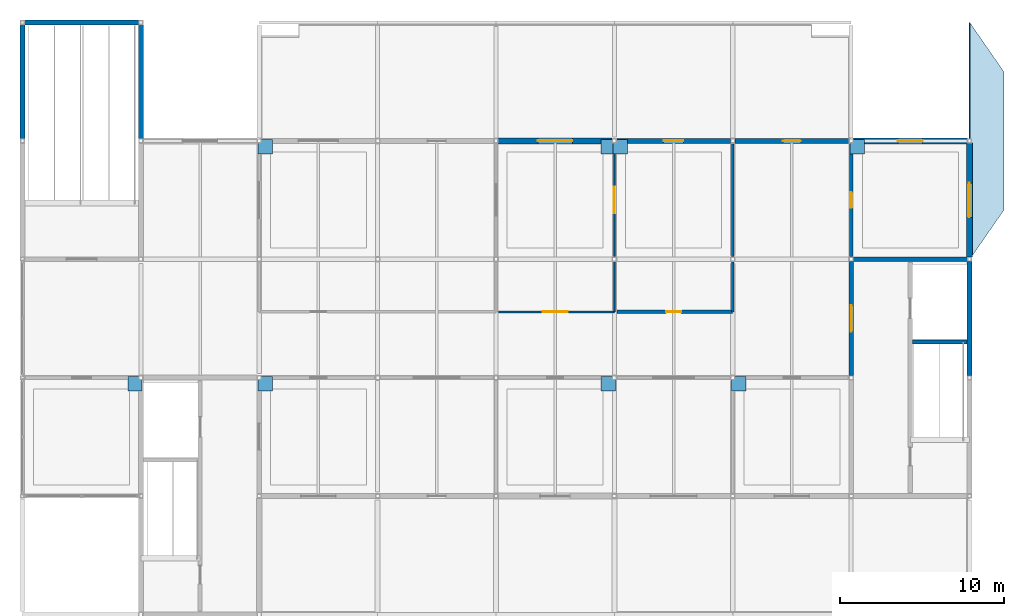
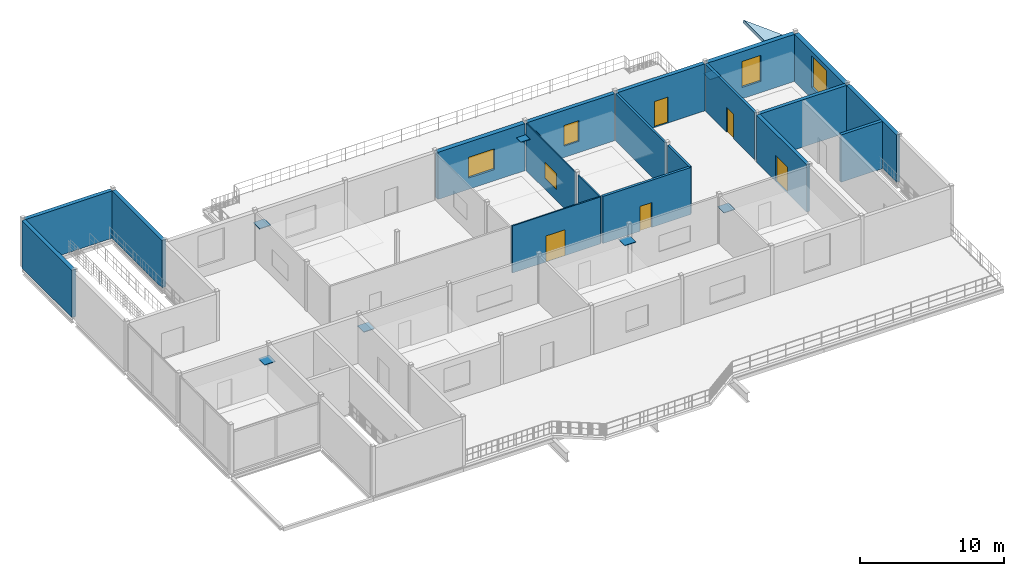
# One storey, part 13 of 18: 19 walls, 8 discrete accessories, 5 doors, 5 windows, 1 roof, 10 openings.
"""IFC4 building model written with IfcOpenShell, lengths in metres."""

from ifc_helpers import new_model, si_unit, direction, frame, frame_2d, origin, origin_2d, place, context, subcontext, project, spatial, polyline, rectangle, outline, extrude, material, layer, layer_set, type_object, element, fill, save


model = new_model("IFC4")

# Units and contexts
model_context = context("Model", 3, precision=1e-05, world=origin(), true_north=direction((0.0, 1.0)))
body_context = subcontext(model_context, "Body", "Model", "MODEL_VIEW")
ifc_project = project(units=[si_unit("LENGTHUNIT", "METRE"), si_unit("AREAUNIT", "SQUARE_METRE"), si_unit("VOLUMEUNIT", "CUBIC_METRE"), si_unit("PLANEANGLEUNIT", "RADIAN"), si_unit("MASSUNIT", "GRAM", prefix="KILO")], contexts=[model_context])

# Site, building, storey
site_placement = place(None, origin())
site = spatial("IfcSite", under=ifc_project, at=site_placement, CompositionType="ELEMENT")
building_placement = place(site_placement, origin())
building = spatial("IfcBuilding", under=site, at=building_placement, Name="Vesperath Aquatics Centre", CompositionType="ELEMENT")
storey_placement = place(building_placement, frame((0.0, 0.0, 23.39990234375)))
storey = spatial("IfcBuildingStorey", under=building, at=storey_placement, Name="L05", CompositionType="ELEMENT", Elevation=23.39990234375)

# Wall, opening, window
ifc_material_1 = material(Name="Glazed majolica and brick insulated cavity wall", Category="masonry")
ifc_layer_1 = layer(ifc_material_1, 0.360107421875)
ifc_layer_set_1 = layer_set([ifc_layer_1], Name="Glazed majolica and brick insulated cavity wall")
wall_type_1 = type_object("IfcWallType", Name="WL-EW03", PredefinedType="SOLIDWALL", material=ifc_layer_set_1)
wall_1_placement = place(storey_placement, frame((144.1298828125, 28.800048828125, 0.0), z_axis=(0.0, 0.0, 1.0), x_axis=(1.0, 0.0, 0.0)))
wall_1 = element("IfcWall", 1, at=wall_1_placement, inside=storey, type_object=wall_type_1, Name="Exterior Wall EW03 L05_N_20_04", PredefinedType="SOLIDWALL", context=body_context, shape_type="SweptSolid", body=[
    extrude(rectangle(XDim=6.940185546875, YDim=0.360107421875, at=frame_2d((3.47021484375, 0.0))), origin(), (0.0, 0.0, 1.0), 3.97998046875),
])
opening_1_placement = place(wall_1_placement, frame((2.419921875, 0.0, 0.949951171875)))
opening_1 = element("IfcOpeningElement", 2, at=opening_1_placement, cuts=wall_1, Name="Opening W11", PredefinedType="OPENING", context=body_context, shape_type="SweptSolid", body=[
    extrude(rectangle(XDim=2.10009765625, YDim=1.75, at=frame_2d((1.050048828125, 0.875))), frame((0.0, 0.19482421875, 0.0), z_axis=(0.0, -1.0, 0.0), x_axis=(1.0, 0.0, 0.0)), (0.0, 0.0, 1.0), 0.389892578125),
])
ifc_material_2 = material(Name="Thermally broken aluminium triple-glazed window", Category="aluminium")
window_type_1 = type_object("IfcWindowType", Name="WN-W11", PartitioningType="SINGLE_PANEL", PredefinedType="WINDOW", material=ifc_material_2)
window_1_placement = place(opening_1_placement, origin())
window_1 = element("IfcWindow", 3, at=window_1_placement, inside=storey, type_object=window_type_1, Name="Deep-Reveal Casement Window W11 L05_N_20_04", OverallHeight=1.75, OverallWidth=2.10009765625, PartitioningType="SINGLE_PANEL", PredefinedType="WINDOW", context=body_context, shape_type="SweptSolid", body=[
    extrude(rectangle(XDim=2.10009765625, YDim=1.75, at=frame_2d((1.050048828125, 0.875))), frame((0.0, 0.030029296875, 0.0), z_axis=(0.0, -1.0, 0.0), x_axis=(1.0, 0.0, 0.0)), (0.0, 0.0, 1.0), 0.06005859375),
])
fill(opening_1, window_1)

wall_2_placement = place(storey_placement, frame((165.72998046875, 28.800048828125, 0.0), z_axis=(0.0, 0.0, 1.0), x_axis=(1.0, 0.0, 0.0)))
wall_2 = element("IfcWall", 4, at=wall_2_placement, inside=storey, type_object=wall_type_1, Name="Exterior Wall EW03 L05_N_23_04", PredefinedType="SOLIDWALL", context=body_context, shape_type="SweptSolid", body=[
    extrude(rectangle(XDim=6.93994140625, YDim=0.360107421875, at=frame_2d((3.469970703125, 0.0))), origin(), (0.0, 0.0, 1.0), 3.97998046875),
])
opening_2_placement = place(wall_2_placement, frame((2.719970703125, 0.0, 0.949951171875)))
opening_2 = element("IfcOpeningElement", 5, at=opening_2_placement, cuts=wall_2, Name="Opening W04", PredefinedType="OPENING", context=body_context, shape_type="SweptSolid", body=[
    extrude(rectangle(XDim=1.5, YDim=2.199951171875, at=frame_2d((0.75, 1.10009765625))), frame((0.0, 0.19482421875, 0.0), z_axis=(0.0, -1.0, 0.0), x_axis=(1.0, 0.0, 0.0)), (0.0, 0.0, 1.0), 0.389892578125),
])
window_type_2 = type_object("IfcWindowType", Name="WN-W04", PartitioningType="SINGLE_PANEL", PredefinedType="WINDOW", material=ifc_material_2)
window_2_placement = place(opening_2_placement, origin())
window_2 = element("IfcWindow", 6, at=window_2_placement, inside=storey, type_object=window_type_2, Name="Deep-Reveal Casement Window W04 L05_N_23_04", OverallHeight=2.199951171875, OverallWidth=1.5, PartitioningType="SINGLE_PANEL", PredefinedType="WINDOW", context=body_context, shape_type="SweptSolid", body=[
    extrude(rectangle(XDim=1.5, YDim=2.199951171875, at=frame_2d((0.75, 1.10009765625))), frame((0.0, 0.030029296875, 0.0), z_axis=(0.0, -1.0, 0.0), x_axis=(1.0, 0.0, 0.0)), (0.0, 0.0, 1.0), 0.06005859375),
])
fill(opening_2, window_2)

wall_3_placement = place(storey_placement, frame((172.800048828125, 21.72998046875, 0.0), z_axis=(0.0, 0.0, 1.0), x_axis=(0.0, 1.0, 0.0)))
wall_3 = element("IfcWall", 7, at=wall_3_placement, inside=storey, type_object=wall_type_1, Name="Exterior Wall EW03 L05_E_24_03", PredefinedType="SOLIDWALL", context=body_context, shape_type="SweptSolid", body=[
    extrude(rectangle(XDim=6.93994140625, YDim=0.360107421875, at=frame_2d((3.469970703125, 0.0))), origin(), (0.0, 0.0, 1.0), 3.97998046875),
])
opening_3_placement = place(wall_3_placement, frame((2.419921875, 0.0, 0.949951171875)))
opening_3 = element("IfcOpeningElement", 8, at=opening_3_placement, cuts=wall_3, Name="Opening W02", PredefinedType="OPENING", context=body_context, shape_type="SweptSolid", body=[
    extrude(rectangle(XDim=2.10009765625, YDim=2.64990234375, at=frame_2d((1.050048828125, 1.324951171875))), frame((0.0, 0.19482421875, 0.0), z_axis=(0.0, -1.0, 0.0), x_axis=(1.0, 0.0, 0.0)), (0.0, 0.0, 1.0), 0.389892578125),
])
window_type_3 = type_object("IfcWindowType", Name="WN-W02", PartitioningType="SINGLE_PANEL", PredefinedType="WINDOW", material=ifc_material_2)
window_3_placement = place(opening_3_placement, origin())
window_3 = element("IfcWindow", 9, at=window_3_placement, inside=storey, type_object=window_type_3, Name="Deep-Reveal Casement Window W02 L05_E_24_03", OverallHeight=2.64990234375, OverallWidth=2.10009765625, PartitioningType="SINGLE_PANEL", PredefinedType="WINDOW", context=body_context, shape_type="SweptSolid", body=[
    extrude(rectangle(XDim=2.10009765625, YDim=2.64990234375, at=frame_2d((1.050048828125, 1.324951171875))), frame((0.0, 0.030029296875, 0.0), z_axis=(0.0, -1.0, 0.0), x_axis=(1.0, 0.0, 0.0)), (0.0, 0.0, 1.0), 0.06005859375),
])
fill(opening_3, window_3)

ifc_material_3 = material(Name="Terrace pavilion insulated masonry wall", Category="masonry")
ifc_layer_2 = layer(ifc_material_3, 0.31005859375)
ifc_layer_set_2 = layer_set([ifc_layer_2], Name="Terrace pavilion insulated masonry wall")
wall_type_2 = type_object("IfcWallType", Name="WL-EW05", PredefinedType="SOLIDWALL", material=ifc_layer_set_2)
wall_4_placement = place(storey_placement, frame((151.330078125, 28.800048828125, 0.0), z_axis=(0.0, 0.0, 1.0), x_axis=(1.0, 0.0, 0.0)))
wall_4 = element("IfcWall", 10, at=wall_4_placement, inside=storey, type_object=wall_type_2, Name="Exterior Wall EW05 L05_N_21_04", PredefinedType="SOLIDWALL", context=body_context, shape_type="SweptSolid", body=[
    extrude(rectangle(XDim=6.93994140625, YDim=0.31005859375, at=frame_2d((3.469970703125, 0.0))), origin(), (0.0, 0.0, 1.0), 3.97998046875),
])
opening_4_placement = place(wall_4_placement, frame((2.8701171875, 0.0, 0.949951171875)))
opening_4 = element("IfcOpeningElement", 11, at=opening_4_placement, cuts=wall_4, Name="Opening W14", PredefinedType="OPENING", context=body_context, shape_type="SweptSolid", body=[
    extrude(rectangle(XDim=1.199951171875, YDim=1.75, at=frame_2d((0.60009765625, 0.875))), frame((0.0, 0.169921875, 0.0), z_axis=(0.0, -1.0, 0.0), x_axis=(1.0, 0.0, 0.0)), (0.0, 0.0, 1.0), 0.33984375),
])
window_type_4 = type_object("IfcWindowType", Name="WN-W14", PartitioningType="SINGLE_PANEL", PredefinedType="WINDOW", material=ifc_material_2)
window_4_placement = place(opening_4_placement, origin())
window_4 = element("IfcWindow", 12, at=window_4_placement, inside=storey, type_object=window_type_4, Name="Deep-Reveal Casement Window W14 L05_N_21_04", OverallHeight=1.75, OverallWidth=1.199951171875, PartitioningType="SINGLE_PANEL", PredefinedType="WINDOW", context=body_context, shape_type="SweptSolid", body=[
    extrude(rectangle(XDim=1.199951171875, YDim=1.75, at=frame_2d((0.60009765625, 0.875))), frame((0.0, 0.030029296875, 0.0), z_axis=(0.0, -1.0, 0.0), x_axis=(1.0, 0.0, 0.0)), (0.0, 0.0, 1.0), 0.06005859375),
])
fill(opening_4, window_4)

# Wall, opening, door
wall_5_placement = place(storey_placement, frame((158.530029296875, 28.800048828125, 0.0), z_axis=(0.0, 0.0, 1.0), x_axis=(1.0, 0.0, 0.0)))
wall_5 = element("IfcWall", 13, at=wall_5_placement, inside=storey, type_object=wall_type_2, Name="Exterior Wall EW05 L05_N_22_04", PredefinedType="SOLIDWALL", context=body_context, shape_type="SweptSolid", body=[
    extrude(rectangle(XDim=6.93994140625, YDim=0.31005859375, at=frame_2d((3.469970703125, 0.0))), origin(), (0.0, 0.0, 1.0), 3.97998046875),
])
opening_5_placement = place(wall_5_placement, frame((2.919921875, 0.0, 0.0)))
opening_5 = element("IfcOpeningElement", 14, at=opening_5_placement, cuts=wall_5, Name="Opening TRD2", PredefinedType="OPENING", context=body_context, shape_type="SweptSolid", body=[
    extrude(rectangle(XDim=1.10009765625, YDim=2.199951171875, at=frame_2d((0.550048828125, 1.10009765625))), frame((0.0, 0.169921875, 0.0), z_axis=(0.0, -1.0, 0.0), x_axis=(1.0, 0.0, 0.0)), (0.0, 0.0, 1.0), 0.33984375),
])
ifc_material_4 = material(Name="Thermally broken bronze-anodised glazed aluminium door", Category="aluminium")
door_type_1 = type_object("IfcDoorType", Name="DR-TR02", OperationType="NOTDEFINED", PredefinedType="DOOR", material=ifc_material_4)
door_1_placement = place(opening_5_placement, origin())
door_1 = element("IfcDoor", 15, at=door_1_placement, inside=storey, type_object=door_type_1, Name="Roof Terrace Access Door TRD2 L05_N_22_04", OperationType="SINGLE_SWING_RIGHT", OverallHeight=2.199951171875, OverallWidth=1.10009765625, PredefinedType="DOOR", context=body_context, shape_type="SweptSolid", body=[
    extrude(rectangle(XDim=1.10009765625, YDim=2.199951171875, at=frame_2d((0.550048828125, 1.10009765625))), frame((0.0, 0.02490234375, 0.0), z_axis=(0.0, -1.0, 0.0), x_axis=(1.0, 0.0, 0.0)), (0.0, 0.0, 1.0), 0.050048828125),
])
fill(opening_5, door_1)

ifc_material_5 = material(Name="Wet-village masonry block wall", Category="masonry")
ifc_layer_3 = layer(ifc_material_5, 0.199951171875)
ifc_layer_set_3 = layer_set([ifc_layer_3], Name="Wet-village masonry block wall")
wall_type_3 = type_object("IfcWallType", Name="WL-FW03", PredefinedType="SOLIDWALL", material=ifc_layer_set_3)
wall_6_placement = place(storey_placement, frame((151.35009765625, 18.39990234375, 0.0), z_axis=(0.0, 0.0, 1.0), x_axis=(1.0, 0.0, 0.0)))
wall_6 = element("IfcWall", 16, at=wall_6_placement, inside=storey, type_object=wall_type_3, Name="Interior Partition FW03 L05_MWC-S1", PredefinedType="SOLIDWALL", context=body_context, shape_type="SweptSolid", body=[
    extrude(rectangle(XDim=7.0498046875, YDim=0.199951171875, at=frame_2d((3.52490234375, 0.0))), origin(), (0.0, 0.0, 1.0), 3.97998046875),
])
opening_6_placement = place(wall_6_placement, frame((2.989990234375, 0.0, 0.0)))
opening_6 = element("IfcOpeningElement", 17, at=opening_6_placement, cuts=wall_6, Name="Opening D08", PredefinedType="OPENING", context=body_context, shape_type="SweptSolid", body=[
    extrude(rectangle(XDim=0.919921875, YDim=2.10009765625, at=frame_2d((0.4599609375, 1.050048828125))), frame((0.0, 0.11474609375, 0.0), z_axis=(0.0, -1.0, 0.0), x_axis=(1.0, 0.0, 0.0)), (0.0, 0.0, 1.0), 0.229736328125),
])
ifc_material_6 = material(Name="Moisture-resistant HPL washroom door", Category="wood")
door_type_2 = type_object("IfcDoorType", Name="DR-WC03", OperationType="NOTDEFINED", PredefinedType="DOOR", material=ifc_material_6)
door_2_placement = place(opening_6_placement, origin())
door_2 = element("IfcDoor", 18, at=door_2_placement, inside=storey, type_object=door_type_2, Name="Staff Male WC L05 Door D08", OperationType="SINGLE_SWING_LEFT", OverallHeight=2.10009765625, OverallWidth=0.919921875, PredefinedType="DOOR", context=body_context, shape_type="SweptSolid", body=[
    extrude(rectangle(XDim=0.919921875, YDim=2.10009765625, at=frame_2d((0.4599609375, 1.050048828125))), frame((0.0, 0.02490234375, 0.0), z_axis=(0.0, -1.0, 0.0), x_axis=(1.0, 0.0, 0.0)), (0.0, 0.0, 1.0), 0.050048828125),
])
fill(opening_6, door_2)

wall_7_placement = place(storey_placement, frame((165.60009765625, 21.780029296875, 0.0), z_axis=(0.0, 0.0, 1.0), x_axis=(0.0, 1.0, 0.0)))
wall_7 = element("IfcWall", 19, at=wall_7_placement, inside=storey, type_object=wall_type_3, Name="Interior Partition FW03 L05_FWC-W1", PredefinedType="SOLIDWALL", context=body_context, shape_type="SweptSolid", body=[
    extrude(rectangle(XDim=6.840087890625, YDim=0.199951171875, at=frame_2d((3.419921875, 0.0))), origin(), (0.0, 0.0, 1.0), 3.97998046875),
])
opening_7_placement = place(wall_7_placement, frame((2.945068359375, 0.0, 0.0)))
opening_7 = element("IfcOpeningElement", 20, at=opening_7_placement, cuts=wall_7, Name="Opening D07", PredefinedType="OPENING", context=body_context, shape_type="SweptSolid", body=[
    extrude(rectangle(XDim=0.949951171875, YDim=2.10009765625, at=frame_2d((0.47509765625, 1.050048828125))), frame((0.0, 0.11474609375, 0.0), z_axis=(0.0, -1.0, 0.0), x_axis=(1.0, 0.0, 0.0)), (0.0, 0.0, 1.0), 0.229736328125),
])
ifc_material_7 = material(Name="Moisture-resistant HPL sanitary door", Category="wood")
door_type_3 = type_object("IfcDoorType", Name="DR-WC02", OperationType="NOTDEFINED", PredefinedType="DOOR", material=ifc_material_7)
door_3_placement = place(opening_7_placement, frame((0.949951171875, 0.0, 0.0), z_axis=(0.0, 0.0, 1.0), x_axis=(-1.0, 0.0, 0.0)))
door_3 = element("IfcDoor", 21, at=door_3_placement, inside=storey, type_object=door_type_3, Name="Staff Female WC L05 Door D07", OperationType="SINGLE_SWING_RIGHT", OverallHeight=2.10009765625, OverallWidth=0.949951171875, PredefinedType="DOOR", context=body_context, shape_type="SweptSolid", body=[
    extrude(rectangle(XDim=0.949951171875, YDim=2.10009765625, at=frame_2d((0.47509765625, 1.050048828125))), frame((0.0, 0.02490234375, 0.0), z_axis=(0.0, -1.0, 0.0), x_axis=(1.0, 0.0, 0.0)), (0.0, 0.0, 1.0), 0.050048828125),
])
fill(opening_7, door_3)

# Walls
ifc_material_8 = material(Name="Moisture-resistant tiled wet partition", Category="gypsum")
ifc_layer_4 = layer(ifc_material_8, 0.175048828125)
ifc_layer_set_4 = layer_set([ifc_layer_4], Name="Moisture-resistant tiled wet partition")
wall_type_4 = type_object("IfcWallType", Name="WL-IW02", PredefinedType="PARTITIONING", material=ifc_layer_set_4)
wall_8_placement = place(storey_placement, frame((158.39990234375, 18.39990234375, 0.0), z_axis=(0.0, 0.0, 1.0), x_axis=(0.0, 1.0, 0.0)))
element("IfcWall", 22, at=wall_8_placement, inside=storey, type_object=wall_type_4, Name="Interior Partition IW02 L05_MWC-E1", PredefinedType="PARTITIONING", context=body_context, shape_type="SweptSolid", body=[
    extrude(rectangle(XDim=3.02001953125, YDim=0.175048828125, at=frame_2d((1.510009765625, 0.0))), origin(), (0.0, 0.0, 1.0), 3.97998046875),
])
wall_9_placement = place(storey_placement, frame((158.39990234375, 21.780029296875, 0.0), z_axis=(0.0, 0.0, 1.0), x_axis=(0.0, 1.0, 0.0)))
element("IfcWall", 23, at=wall_9_placement, inside=storey, type_object=wall_type_4, Name="Interior Partition IW02 L05_MWC-E2", PredefinedType="PARTITIONING", context=body_context, shape_type="SweptSolid", body=[
    extrude(rectangle(XDim=6.840087890625, YDim=0.175048828125, at=frame_2d((3.419921875, 0.0))), origin(), (0.0, 0.0, 1.0), 3.97998046875),
])

# Wall, opening, door
ifc_material_9 = material(Name="Kiosk counter partition", Category="gypsum")
ifc_layer_5 = layer(ifc_material_9, 0.10791015625)
ifc_layer_set_5 = layer_set([ifc_layer_5], Name="Kiosk counter partition")
wall_type_5 = type_object("IfcWallType", Name="WL-IW11", PredefinedType="PARTITIONING", material=ifc_layer_set_5)
wall_10_placement = place(storey_placement, frame((144.14990234375, 18.39990234375, 0.0), z_axis=(0.0, 0.0, 1.0), x_axis=(1.0, 0.0, 0.0)))
wall_10 = element("IfcWall", 24, at=wall_10_placement, inside=storey, type_object=wall_type_5, Name="Interior Partition IW11 L05_BOARD-S1", PredefinedType="PARTITIONING", context=body_context, shape_type="SweptSolid", body=[
    extrude(rectangle(XDim=7.050048828125, YDim=0.10791015625, at=frame_2d((3.52490234375, 0.0))), origin(), (0.0, 0.0, 1.0), 3.97998046875),
])
opening_8_placement = place(wall_10_placement, frame((2.68994140625, 0.0, 0.0)))
opening_8 = element("IfcOpeningElement", 25, at=opening_8_placement, cuts=wall_10, Name="Opening D31", PredefinedType="OPENING", context=body_context, shape_type="SweptSolid", body=[
    extrude(rectangle(XDim=1.52001953125, YDim=2.199951171875, at=frame_2d((0.760009765625, 1.10009765625))), frame((0.0, 0.06884765625, 0.0), z_axis=(0.0, -1.0, 0.0), x_axis=(1.0, 0.0, 0.0)), (0.0, 0.0, 1.0), 0.1376953125),
])
ifc_material_10 = material(Name="Boardroom and briefing double oak door", Category="wood")
door_type_4 = type_object("IfcDoorType", Name="DR-RM23", OperationType="DOUBLE_SWING_LEFT", PredefinedType="DOOR", material=ifc_material_10)
door_4_placement = place(opening_8_placement, origin())
door_4 = element("IfcDoor", 26, at=door_4_placement, inside=storey, type_object=door_type_4, Name="Civic Trust Boardroom Door D31", OperationType="DOUBLE_SWING_LEFT", OverallHeight=2.199951171875, OverallWidth=1.52001953125, PredefinedType="DOOR", context=body_context, shape_type="SweptSolid", body=[
    extrude(rectangle(XDim=1.52001953125, YDim=2.199951171875, at=frame_2d((0.760009765625, 1.10009765625))), frame((0.0, 0.02490234375, 0.0), z_axis=(0.0, -1.0, 0.0), x_axis=(1.0, 0.0, 0.0)), (0.0, 0.0, 1.0), 0.050048828125),
])
fill(opening_8, door_4)

# Wall
ifc_material_11 = material(Name="Light room sub-partition", Category="gypsum")
ifc_layer_6 = layer(ifc_material_11, 0.10009765625)
ifc_layer_set_6 = layer_set([ifc_layer_6], Name="Light room sub-partition")
wall_type_6 = type_object("IfcWallType", Name="WL-IW12", PredefinedType="PARTITIONING", material=ifc_layer_set_6)
wall_11_placement = place(storey_placement, frame((151.199951171875, 18.39990234375, 0.0), z_axis=(0.0, 0.0, 1.0), x_axis=(0.0, 1.0, 0.0)))
element("IfcWall", 27, at=wall_11_placement, inside=storey, type_object=wall_type_6, Name="Interior Partition IW12 L05_BOARD-E1", PredefinedType="PARTITIONING", context=body_context, shape_type="SweptSolid", body=[
    extrude(rectangle(XDim=3.02001953125, YDim=0.10009765625, at=frame_2d((1.510009765625, 0.0))), origin(), (0.0, 0.0, 1.0), 3.97998046875),
])

# Wall, opening, window
ifc_material_12 = material(Name="Poolside glazed screen partition", Category="gypsum")
ifc_layer_7 = layer(ifc_material_12, 0.094970703125)
ifc_layer_set_7 = layer_set([ifc_layer_7], Name="Poolside glazed screen partition")
wall_type_7 = type_object("IfcWallType", Name="WL-IW13", PredefinedType="PARTITIONING", material=ifc_layer_set_7)
wall_12_placement = place(storey_placement, frame((151.199951171875, 21.780029296875, 0.0), z_axis=(0.0, 0.0, 1.0), x_axis=(0.0, 1.0, 0.0)))
wall_12 = element("IfcWall", 28, at=wall_12_placement, inside=storey, type_object=wall_type_7, Name="Interior Partition IW13 L05_BOARD-E2", PredefinedType="PARTITIONING", context=body_context, shape_type="SweptSolid", body=[
    extrude(rectangle(XDim=6.840087890625, YDim=0.094970703125, at=frame_2d((3.419921875, 0.0))), origin(), (0.0, 0.0, 1.0), 3.97998046875),
])
opening_9_placement = place(wall_12_placement, frame((2.6201171875, 0.0, 0.949951171875)))
opening_9 = element("IfcOpeningElement", 29, at=opening_9_placement, cuts=wall_12, Name="Opening VW09", PredefinedType="OPENING", context=body_context, shape_type="SweptSolid", body=[
    extrude(rectangle(XDim=1.60009765625, YDim=1.35009765625, at=frame_2d((0.800048828125, 0.675048828125))), frame((0.0, 0.0625, 0.0), z_axis=(0.0, -1.0, 0.0), x_axis=(1.0, 0.0, 0.0)), (0.0, 0.0, 1.0), 0.124755859375),
])
ifc_material_13 = material(Name="Acoustic laminated interior viewing glazing", Category="glass")
window_type_5 = type_object("IfcWindowType", Name="WN-IW09", PartitioningType="SINGLE_PANEL", PredefinedType="WINDOW", material=ifc_material_13)
window_5_placement = place(opening_9_placement, origin())
window_5 = element("IfcWindow", 30, at=window_5_placement, inside=storey, type_object=window_type_5, Name="Interior Viewing Window VW09 L05_BOARD", OverallHeight=1.35009765625, OverallWidth=1.60009765625, PartitioningType="SINGLE_PANEL", PredefinedType="WINDOW", context=body_context, shape_type="SweptSolid", body=[
    extrude(rectangle(XDim=1.60009765625, YDim=1.35009765625, at=frame_2d((0.800048828125, 0.675048828125))), frame((0.0, 0.030029296875, 0.0), z_axis=(0.0, -1.0, 0.0), x_axis=(1.0, 0.0, 0.0)), (0.0, 0.0, 1.0), 0.06005859375),
])
fill(opening_9, window_5)

# Wall
ifc_material_14 = material(Name="Concrete C40", Category="concrete")
ifc_layer_8 = layer(ifc_material_14, 0.280029296875)
ifc_layer_set_8 = layer_set([ifc_layer_8], Name="Concrete C40")
wall_type_8 = type_object("IfcWallType", Name="WL-SW02", PredefinedType="SHEAR", material=ifc_layer_set_8)
wall_13_placement = place(storey_placement, frame((165.72998046875, 21.60009765625, 0.0), z_axis=(0.0, 0.0, 1.0), x_axis=(1.0, 0.0, 0.0)))
element("IfcWall", 31, at=wall_13_placement, inside=storey, type_object=wall_type_8, Name="Core C6 North Shear Wall SW02 L05", PredefinedType="SHEAR", context=body_context, shape_type="SweptSolid", body=[
    extrude(rectangle(XDim=6.93994140625, YDim=0.280029296875, at=frame_2d((3.469970703125, 0.0))), origin(), (0.0, 0.0, 1.0), 4.0),
])

# Wall, opening, door
wall_14_placement = place(storey_placement, frame((165.60009765625, 14.530029296875, 0.0), z_axis=(0.0, 0.0, 1.0), x_axis=(0.0, 1.0, 0.0)))
wall_14 = element("IfcWall", 32, at=wall_14_placement, inside=storey, type_object=wall_type_8, Name="Core C6 West-2 Shear Wall SW02 L05", PredefinedType="SHEAR", context=body_context, shape_type="SweptSolid", body=[
    extrude(rectangle(XDim=6.93994140625, YDim=0.280029296875, at=frame_2d((3.469970703125, 0.0))), origin(), (0.0, 0.0, 1.0), 4.0),
])
opening_10_placement = place(wall_14_placement, frame((2.669921875, 0.0, 0.0)))
opening_10 = element("IfcOpeningElement", 33, at=opening_10_placement, cuts=wall_14, Name="Opening D02", PredefinedType="OPENING", context=body_context, shape_type="SweptSolid", body=[
    extrude(rectangle(XDim=1.60009765625, YDim=2.199951171875, at=frame_2d((0.800048828125, 1.10009765625))), frame((0.0, 0.15478515625, 0.0), z_axis=(0.0, -1.0, 0.0), x_axis=(1.0, 0.0, 0.0)), (0.0, 0.0, 1.0), 0.309814453125),
])
ifc_material_15 = material(Name="Glazed fire-rated lobby double door", Category="steel")
door_type_5 = type_object("IfcDoorType", Name="DR-FD02", OperationType="DOUBLE_SWING_LEFT", PredefinedType="DOOR", material=ifc_material_15)
door_5_placement = place(opening_10_placement, origin())
door_5 = element("IfcDoor", 34, at=door_5_placement, inside=storey, type_object=door_type_5, Name="Core C6 Lobby Fire Door D02 L05", OperationType="DOUBLE_SWING_LEFT", OverallHeight=2.199951171875, OverallWidth=1.60009765625, PredefinedType="DOOR", context=body_context, shape_type="SweptSolid", body=[
    extrude(rectangle(XDim=1.60009765625, YDim=2.199951171875, at=frame_2d((0.800048828125, 1.10009765625))), frame((0.0, 0.02490234375, 0.0), z_axis=(0.0, -1.0, 0.0), x_axis=(1.0, 0.0, 0.0)), (0.0, 0.0, 1.0), 0.050048828125),
])
fill(opening_10, door_5)

# Walls
ifc_layer_9 = layer(ifc_material_14, 0.25)
ifc_layer_set_9 = layer_set([ifc_layer_9], Name="Concrete C40")
wall_type_9 = type_object("IfcWallType", Name="WL-SW04", PredefinedType="SHEAR", material=ifc_layer_set_9)
wall_15_placement = place(storey_placement, frame((169.340087890625, 16.580078125, 0.0), z_axis=(0.0, 0.0, 1.0), x_axis=(1.0, 0.0, 0.0)))
element("IfcWall", 35, at=wall_15_placement, inside=storey, type_object=wall_type_9, Name="Core C6 Lift Shaft Wall SW04 L05", PredefinedType="SHEAR", context=body_context, shape_type="SweptSolid", body=[
    extrude(rectangle(XDim=3.2998046875, YDim=0.25, at=frame_2d((1.64990234375, 0.0))), origin(), (0.0, 0.0, 1.0), 4.0),
])
ifc_layer_10 = layer(ifc_material_14, 0.31005859375)
ifc_layer_set_10 = layer_set([ifc_layer_10], Name="Concrete C40")
wall_type_10 = type_object("IfcWallType", Name="WL-SW05", PredefinedType="SHEAR", material=ifc_layer_set_10)
wall_16_placement = place(storey_placement, frame((115.330078125, 36.0, 0.0), z_axis=(0.0, 0.0, 1.0), x_axis=(1.0, 0.0, 0.0)))
element("IfcWall", 36, at=wall_16_placement, inside=storey, type_object=wall_type_10, Name="Core C7 North Shear Wall SW05 L05", PredefinedType="SHEAR", context=body_context, shape_type="SweptSolid", body=[
    extrude(rectangle(XDim=6.93994140625, YDim=0.31005859375, at=frame_2d((3.469970703125, 0.0))), origin(), (0.0, 0.0, 1.0), 4.0),
])
for number, where, z_axis, x_axis, name in (
    (37, (115.199951171875, 28.929931640625, 0.0), (0.0, 0.0, 1.0), (0.0, 1.0, 0.0), "Core C7 West-2 Shear Wall SW05 L05"),
    (38, (122.39990234375, 28.929931640625, 0.0), (0.0, 0.0, 1.0), (0.0, 1.0, 0.0), "Core C7 East-2 Shear Wall SW05 L05"),
):
    element("IfcWall", number, at=place(storey_placement, frame(where, z_axis=z_axis, x_axis=x_axis)), inside=storey, type_object=wall_type_10, Name=name, PredefinedType="SHEAR", context=body_context, shape_type="SweptSolid", body=[
        extrude(rectangle(XDim=6.940185546875, YDim=0.31005859375, at=frame_2d((3.47021484375, 0.0))), origin(), (0.0, 0.0, 1.0), 4.0),
    ])
ifc_layer_11 = layer(ifc_material_14, 0.2900390625)
ifc_layer_set_11 = layer_set([ifc_layer_11], Name="Concrete C40")
wall_type_11 = type_object("IfcWallType", Name="WL-SW06", PredefinedType="SHEAR", material=ifc_layer_set_11)
wall_17_placement = place(storey_placement, frame((172.800048828125, 14.530029296875, 0.0), z_axis=(0.0, 0.0, 1.0), x_axis=(0.0, 1.0, 0.0)))
element("IfcWall", 39, at=wall_17_placement, inside=storey, type_object=wall_type_11, Name="Core C6 East-2 Shear Wall SW06 L05", PredefinedType="SHEAR", context=body_context, shape_type="SweptSolid", body=[
    extrude(rectangle(XDim=6.93994140625, YDim=0.2900390625, at=frame_2d((3.469970703125, 0.0))), origin(), (0.0, 0.0, 1.0), 4.0),
])

# Roof
ifc_material_16 = material(Name="Patinated zinc-copper standing-seam insulated roof")
ifc_layer_12 = layer(ifc_material_16, 0.219970703125)
ifc_layer_set_12 = layer_set([ifc_layer_12], Name="Patinated zinc-copper standing-seam insulated roof")
roof_type = type_object("IfcRoofType", Name="RF-GB01", PredefinedType="GABLE_ROOF", material=ifc_layer_set_12)
roof_placement = place(storey_placement, frame((172.820068359375, 21.60009765625, 0.650146484375), z_axis=(0.202434545781, 0.0, 0.979295795291), x_axis=(0.565838046631, 0.816177710647, -0.11696687406)))
element("IfcRoof", 40, at=roof_placement, inside=storey, type_object=roof_type, Name="East Bow Oriel Zinc-Copper Hood RFG1", PredefinedType="GABLE_ROOF", context=body_context, shape_type="SweptSolid", body=[
    extrude(outline(polyline([(0.0, 0.0), (3.6756700910407742, 4.163336342344337e-17), (10.531483155622599, 4.853471603712743), (11.752879328464951, 8.320277339132272), (0.0, 0.0)])), origin(), (0.0, 0.0, -1.0), 0.219970703125),
])

# Discrete accessories
ifc_material_17 = material(Name="Stainless steel facade anchor bracket", Category="steel")
discrete_accessory_type = type_object("IfcDiscreteAccessoryType", Name="DA-BRK01", PredefinedType="BRACKET", material=ifc_material_17)
for number, where, z_axis, x_axis, name in (
    (41, (122.0400390625, 14.0400390625, 2.97021484375), (0.0, 0.0, 1.0), (1.0, 0.0, 0.0), "Ceiling Perimeter Suspension Bracket BK01 L05_ADMIN"),
    (42, (129.9599609375, 14.0400390625, 2.97021484375), (0.0, 0.0, 1.0), (1.0, 0.0, 0.0), "Ceiling Perimeter Suspension Bracket BK01 L05_EVENT_OPS"),
    (43, (150.840087890625, 14.0400390625, 2.97021484375), (0.0, 0.0, 1.0), (1.0, 0.0, 0.0), "Ceiling Perimeter Suspension Bracket BK01 L05_DOPING"),
    (44, (158.760009765625, 14.0400390625, 2.97021484375), (0.0, 0.0, 1.0), (1.0, 0.0, 0.0), "Ceiling Perimeter Suspension Bracket BK01 L05_AWC"),
    (45, (129.9599609375, 28.43994140625, 2.97021484375), (0.0, 0.0, 1.0), (1.0, 0.0, 0.0), "Ceiling Perimeter Suspension Bracket BK01 L05_COACHES"),
    (46, (150.840087890625, 28.43994140625, 2.97021484375), (0.0, 0.0, 1.0), (1.0, 0.0, 0.0), "Ceiling Perimeter Suspension Bracket BK01 L05_BOARD"),
    (47, (151.56005859375, 28.43994140625, 2.97021484375), (0.0, 0.0, 1.0), (1.0, 0.0, 0.0), "Ceiling Perimeter Suspension Bracket BK01 L05_MWC"),
    (48, (165.9599609375, 28.43994140625, 2.97021484375), (0.0, 0.0, 1.0), (1.0, 0.0, 0.0), "Ceiling Perimeter Suspension Bracket BK01 L05_FWC"),
):
    element("IfcDiscreteAccessory", number, at=place(storey_placement, frame(where, z_axis=z_axis, x_axis=x_axis)), inside=storey, type_object=discrete_accessory_type, Name=name, PredefinedType="BRACKET", context=body_context, shape_type="SweptSolid", body=[
        extrude(rectangle(XDim=0.8798828125, YDim=0.8798828125, at=origin_2d()), origin(), (0.0, 0.0, 1.0), 0.054931640625),
    ])

save(model, "model.ifc")
